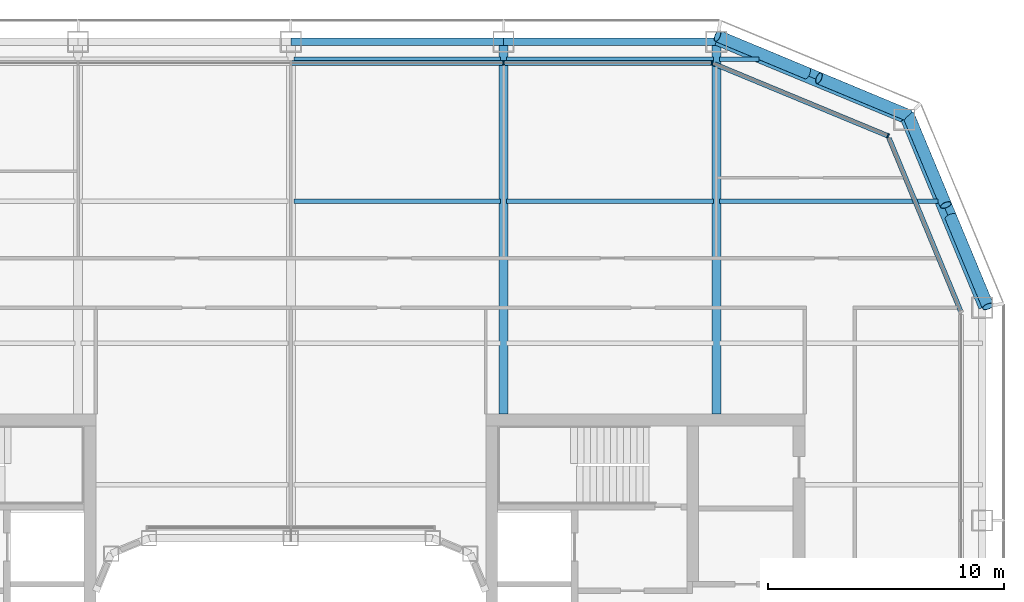
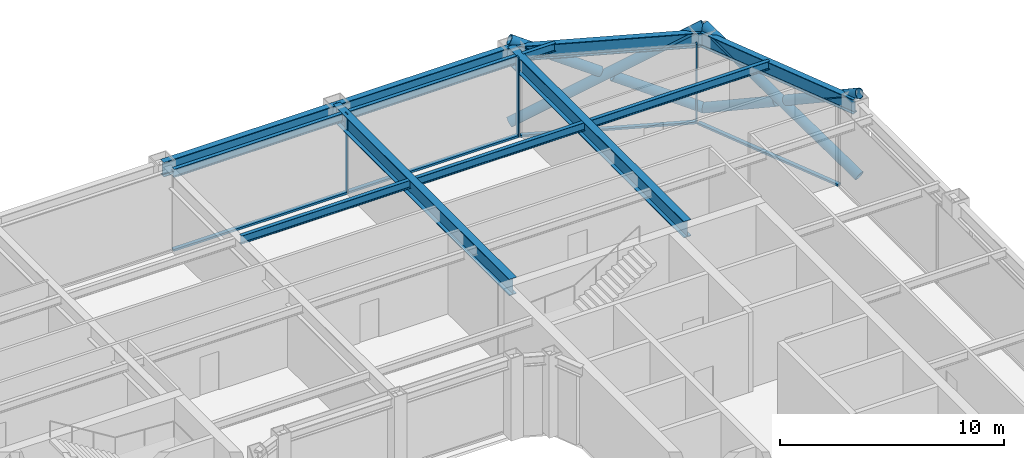
# One storey, part 9 of 21: 13 members, 12 beams, 3 elements without a shape of their own.
"""IFC4 building model written with IfcOpenShell, lengths in metres."""

from ifc_helpers import new_model, si_unit, direction, frame, origin, origin_2d, place, context, subcontext, project, spatial, rectangle, hollow_circle, i_section, extrude, material, layer, layer_set, material_profile, profile_set, type_object, element, aggregate, save


model = new_model("IFC4")

# Units and contexts
model_context = context("Model", 3, precision=1e-05, world=origin(), true_north=direction((0.0, 1.0)))
body_context = subcontext(model_context, "Body", "Model", "MODEL_VIEW")
ifc_project = project(units=[si_unit("LENGTHUNIT", "METRE"), si_unit("AREAUNIT", "SQUARE_METRE"), si_unit("VOLUMEUNIT", "CUBIC_METRE"), si_unit("PLANEANGLEUNIT", "RADIAN"), si_unit("MASSUNIT", "GRAM", prefix="KILO")], contexts=[model_context])

# Site, building, storey
site_placement = place(None, origin())
site = spatial("IfcSite", under=ifc_project, at=site_placement, CompositionType="ELEMENT")
building_placement = place(site_placement, origin())
building = spatial("IfcBuilding", under=site, at=building_placement, Name="Siwar Civic Tower", CompositionType="ELEMENT")
storey_placement = place(building_placement, frame((0.0, 0.0, 158.699951171875)))
storey = spatial("IfcBuildingStorey", under=building, at=storey_placement, Name="L34", CompositionType="ELEMENT", Elevation=158.699951171875)

# Curtain wall, member
ifc_material_1 = material(Name="Aluminium clad insulated panel", Category="aluminium")
ifc_layer_1 = layer(ifc_material_1, 0.199951171875)
ifc_layer_set_1 = layer_set([ifc_layer_1], Name="Aluminium clad insulated panel")
curtain_wall_type_1 = type_object("IfcCurtainWallType", Name="ENV-CW-BX", PredefinedType="NOTDEFINED", material=ifc_layer_set_1)
curtain_wall_1_placement = place(storey_placement, origin())
curtain_wall_1 = element("IfcCurtainWall", 1, at=curtain_wall_1_placement, inside=storey, type_object=curtain_wall_type_1, Name="Curtain wall B NE2", PredefinedType="NOTDEFINED")
ifc_material_2 = material(Name="Aluminium 6063-T6", Category="aluminium")
ifc_material_profile_1 = material_profile(ifc_material_2, rectangle(XDim=0.199951171875, YDim=0.06494140625, at=origin_2d()), Name="AL 200x65")
ifc_profile_set_1 = profile_set([ifc_material_profile_1], Name="Aluminium 6063-T6")
member_type_1 = type_object("IfcMemberType", Name="ENV-MULLION-B", PredefinedType="MULLION", material=ifc_profile_set_1)
member_1_placement = place(storey_placement, frame((25.26611328125, 25.26611328125, 0.0), z_axis=(0.0, 0.0, 1.0), x_axis=(-0.382683432365, -0.923879532511, 0.0)))
member_1 = element("IfcMember", 2, at=member_1_placement, type_object=member_type_1, Name="Mullion B NE2 1", PredefinedType="MULLION", context=body_context, shape_type="SweptSolid", body=[
    extrude(rectangle(XDim=0.199951171875, YDim=0.06494140625, at=origin_2d()), origin(), (0.0, 0.0, 1.0), 4.35009765625),
])

# Curtain wall, members
ifc_material_3 = material(Name="Aluminium and glass", Category="aluminium")
ifc_layer_2 = layer(ifc_material_3, 0.199951171875)
ifc_layer_set_2 = layer_set([ifc_layer_2], Name="Aluminium and glass")
curtain_wall_type_2 = type_object("IfcCurtainWallType", Name="ENV-CW-B", PredefinedType="NOTDEFINED", material=ifc_layer_set_2)
curtain_wall_2_placement = place(storey_placement, origin())
curtain_wall_2 = element("IfcCurtainWall", 3, at=curtain_wall_2_placement, inside=storey, type_object=curtain_wall_type_2, Name="Curtain wall B N", PredefinedType="NOTDEFINED")
member_2_placement = place(storey_placement, frame((17.821044921875, 28.35009765625, 0.0), z_axis=(0.0, 0.0, 1.0), x_axis=(0.0, -1.0, 0.0)))
member_2 = element("IfcMember", 4, at=member_2_placement, type_object=member_type_1, Name="Mullion B N 1", PredefinedType="MULLION", context=body_context, shape_type="SweptSolid", body=[
    extrude(rectangle(XDim=0.199951171875, YDim=0.06494140625, at=origin_2d()), origin(), (0.0, 0.0, 1.0), 4.35009765625),
])
member_3_placement = place(storey_placement, frame((9.0, 28.35009765625, 0.0), z_axis=(0.0, 0.0, 1.0), x_axis=(0.0, -1.0, 0.0)))
member_3 = element("IfcMember", 5, at=member_3_placement, type_object=member_type_1, Name="Mullion B N 2", PredefinedType="MULLION", context=body_context, shape_type="SweptSolid", body=[
    extrude(rectangle(XDim=0.199951171875, YDim=0.06494140625, at=origin_2d()), origin(), (0.0, 0.0, 1.0), 4.35009765625),
])

# Curtain wall, member
curtain_wall_3_placement = place(storey_placement, origin())
curtain_wall_3 = element("IfcCurtainWall", 6, at=curtain_wall_3_placement, inside=storey, type_object=curtain_wall_type_1, Name="Curtain wall B NE1", PredefinedType="NOTDEFINED")
ifc_material_4 = material(Name="Aluminium 6063-T6", Category="aluminium")
ifc_material_profile_2 = material_profile(ifc_material_4, rectangle(XDim=0.199951171875, YDim=0.110107421875, at=origin_2d()), Name="AL 200x110")
ifc_profile_set_2 = profile_set([ifc_material_profile_2], Name="Aluminium 6063-T6")
member_type_2 = type_object("IfcMemberType", Name="ENV-TRANSOM-B", PredefinedType="USERDEFINED", material=ifc_profile_set_2)
member_4_placement = place(storey_placement, frame((28.337646484375, 17.85107421875, 0.054931640625), z_axis=(-0.382699695651, 0.92387279587, 0.0), x_axis=(-0.92387279587, -0.382699695651, 0.0)))
member_4 = element("IfcMember", 7, at=member_4_placement, type_object=member_type_2, Name="Transom B NE1 1", ObjectType="TRANSOM", PredefinedType="USERDEFINED", context=body_context, shape_type="SweptSolid", body=[
    extrude(rectangle(XDim=0.199951171875, YDim=0.110107421875, at=origin_2d()), origin(), (0.0, 0.0, 1.0), 7.912353515625),
])
aggregate(curtain_wall_3, [member_4])

# Member
member_5_placement = place(storey_placement, frame((25.236083984375, 25.278564453125, 0.054931640625), z_axis=(-0.923883705044, 0.382673358825, 0.0), x_axis=(-0.382673358825, -0.923883705044, 0.0)))
member_5 = element("IfcMember", 8, at=member_5_placement, type_object=member_type_2, Name="Transom B NE2 1", ObjectType="TRANSOM", PredefinedType="USERDEFINED", context=body_context, shape_type="SweptSolid", body=[
    extrude(rectangle(XDim=0.199951171875, YDim=0.110107421875, at=origin_2d()), origin(), (0.0, 0.0, 1.0), 7.912353515625),
])

aggregate(curtain_wall_1, [member_1, member_5])

member_6_placement = place(storey_placement, frame((17.78857421875, 28.35009765625, 0.054931640625), z_axis=(-1.0, 0.0, 0.0), x_axis=(0.0, -1.0, 0.0)))
member_6 = element("IfcMember", 9, at=member_6_placement, type_object=member_type_2, Name="Transom B N 1", ObjectType="TRANSOM", PredefinedType="USERDEFINED", context=body_context, shape_type="SweptSolid", body=[
    extrude(rectangle(XDim=0.199951171875, YDim=0.110107421875, at=origin_2d()), origin(), (0.0, 0.0, 1.0), 8.756103515625),
])

member_7_placement = place(storey_placement, frame((8.967529296875, 28.35009765625, 0.054931640625), z_axis=(-1.0, 0.0, 0.0), x_axis=(0.0, -1.0, 0.0)))
member_7 = element("IfcMember", 10, at=member_7_placement, type_object=member_type_2, Name="Transom B N 2", ObjectType="TRANSOM", PredefinedType="USERDEFINED", context=body_context, shape_type="SweptSolid", body=[
    extrude(rectangle(XDim=0.199951171875, YDim=0.110107421875, at=origin_2d()), origin(), (0.0, 0.0, 1.0), 8.93505859375),
])

aggregate(curtain_wall_2, [member_2, member_3, member_6, member_7])

# Members
ifc_material_5 = material(Name="Steel S355", Category="steel")
ifc_material_profile_3 = material_profile(ifc_material_5, hollow_circle(Radius=0.25390625, WallThickness=0.02490234375, at=origin_2d()), Name="CHS508x25")
ifc_profile_set_3 = profile_set([ifc_material_profile_3], Name="Steel S355")
member_type_3 = type_object("IfcMemberType", Name="STR-BR-CHS508x25", PredefinedType="BRACE", material=ifc_profile_set_3)
member_8_placement = place(storey_placement, frame((18.048828125, 29.4951171875, 0.0), z_axis=(0.821142553604, -0.341671493852, 0.457149315816), x_axis=(0.384163874976, 0.923264922524, 0.0)))
element("IfcMember", 11, at=member_8_placement, inside=storey, type_object=member_type_3, Name="L34/brc/BNE1-13-0-1", PredefinedType="BRACE", context=body_context, shape_type="SweptSolid", body=[
    extrude(hollow_circle(Radius=0.25390625, WallThickness=0.02490234375, at=origin_2d()), origin(), (0.0, 0.0, 1.0), 9.843505859375),
])
member_9_placement = place(storey_placement, frame((26.1318359375, 26.1318359375, 0.0), z_axis=(-0.821143275065, 0.341662474736, 0.457154760636), x_axis=(-0.384154943021, -0.923268638995, 0.0)))
element("IfcMember", 12, at=member_9_placement, inside=storey, type_object=member_type_3, Name="L34/brc/BNE1-13-0-2", PredefinedType="BRACE", context=body_context, shape_type="SweptSolid", body=[
    extrude(hollow_circle(Radius=0.25390625, WallThickness=0.02490234375, at=origin_2d()), origin(), (0.0, 0.0, 1.0), 4.61474609375),
])
member_10_placement = place(storey_placement, frame((21.837890625, 27.91845703125, 2.390625), z_axis=(-0.821145902409, 0.34168558233, 0.457132770413), x_axis=(-0.384176042158, -0.923259859753, 0.0)))
element("IfcMember", 13, at=member_10_placement, inside=storey, type_object=member_type_3, Name="L34/brc/BNE1-13-0-3", PredefinedType="BRACE", context=body_context, shape_type="SweptSolid", body=[
    extrude(hollow_circle(Radius=0.25390625, WallThickness=0.02490234375, at=origin_2d()), origin(), (0.0, 0.0, 1.0), 4.6142578125),
])
member_11_placement = place(storey_placement, frame((29.4951171875, 18.048828125, 0.0), z_axis=(-0.341671493852, 0.821142553604, 0.457149315816), x_axis=(-0.923264922524, -0.384163874976, 0.0)))
element("IfcMember", 14, at=member_11_placement, inside=storey, type_object=member_type_3, Name="L34/brc/BNE1-13-0-0", PredefinedType="BRACE", context=body_context, shape_type="SweptSolid", body=[
    extrude(hollow_circle(Radius=0.25390625, WallThickness=0.02490234375, at=origin_2d()), origin(), (0.0, 0.0, 1.0), 9.843505859375),
])
member_12_placement = place(storey_placement, frame((26.1318359375, 26.1318359375, 0.0), z_axis=(0.341662474736, -0.821143275065, 0.457154760636), x_axis=(0.923268638995, 0.384154943021, 0.0)))
element("IfcMember", 15, at=member_12_placement, inside=storey, type_object=member_type_3, Name="L34/brc/BNE1-13-0-4", PredefinedType="BRACE", context=body_context, shape_type="SweptSolid", body=[
    extrude(hollow_circle(Radius=0.25390625, WallThickness=0.02490234375, at=origin_2d()), origin(), (0.0, 0.0, 1.0), 4.61474609375),
])
member_13_placement = place(storey_placement, frame((27.91845703125, 21.837890625, 2.390625), z_axis=(0.34168558233, -0.821145902409, 0.457132770413), x_axis=(0.923259859753, 0.384176042158, 0.0)))
element("IfcMember", 16, at=member_13_placement, inside=storey, type_object=member_type_3, Name="L34/brc/BNE1-13-0-5", PredefinedType="BRACE", context=body_context, shape_type="SweptSolid", body=[
    extrude(hollow_circle(Radius=0.25390625, WallThickness=0.02490234375, at=origin_2d()), origin(), (0.0, 0.0, 1.0), 4.6142578125),
])

# Beams
ifc_material_6 = material(Name="Steel S355", Category="steel")
ifc_material_profile_4 = material_profile(ifc_material_6, i_section(OverallWidth=0.18994140625, OverallDepth=0.449951171875, WebThickness=0.009521484375, FlangeThickness=0.0146484375, FilletRadius=0.02099609375, at=origin_2d()), Name="IPE450")
ifc_profile_set_4 = profile_set([ifc_material_profile_4], Name="Steel S355")
beam_type_1 = type_object("IfcBeamType", Name="STR-FB-IPE450", PredefinedType="JOIST", material=ifc_profile_set_4)
for number, where, z_axis, x_axis, name in (
    (17, (0.1298828125, 22.5, 4.125), (1.0, 0.0, 0.0), (0.0, 1.0, 0.0), "L34/bm/F040"),
    (18, (9.1298828125, 22.5, 4.125), (1.0, 0.0, 0.0), (0.0, 1.0, 0.0), "L34/bm/F041"),
):
    element("IfcBeam", number, at=place(storey_placement, frame(where, z_axis=z_axis, x_axis=x_axis)), inside=storey, type_object=beam_type_1, Name=name, PredefinedType="JOIST", context=body_context, shape_type="SweptSolid", body=[
        extrude(i_section(OverallWidth=0.18994140625, OverallDepth=0.449951171875, WebThickness=0.009521484375, FlangeThickness=0.0146484375, FilletRadius=0.02099609375, at=origin_2d()), origin(), (0.0, 0.0, 1.0), 8.740234375),
    ])
beam_1_placement = place(storey_placement, frame((18.1298828125, 22.5, 4.125), z_axis=(1.0, 0.0, 0.0), x_axis=(0.0, 1.0, 0.0)))
element("IfcBeam", 19, at=beam_1_placement, inside=storey, type_object=beam_type_1, Name="L34/bm/F042", PredefinedType="JOIST", context=body_context, shape_type="SweptSolid", body=[
    extrude(i_section(OverallWidth=0.18994140625, OverallDepth=0.449951171875, WebThickness=0.009521484375, FlangeThickness=0.0146484375, FilletRadius=0.02099609375, at=origin_2d()), origin(), (0.0, 0.0, 1.0), 9.256103515625),
])
for number, where, z_axis, x_axis, name in (
    (20, (0.1298828125, 28.5, 4.125), (1.0, 0.0, 0.0), (0.0, 1.0, 0.0), "L34/bm/F046"),
    (21, (9.1298828125, 28.5, 4.125), (1.0, 0.0, 0.0), (0.0, 1.0, 0.0), "L34/bm/F047"),
):
    element("IfcBeam", number, at=place(storey_placement, frame(where, z_axis=z_axis, x_axis=x_axis)), inside=storey, type_object=beam_type_1, Name=name, PredefinedType="JOIST", context=body_context, shape_type="SweptSolid", body=[
        extrude(i_section(OverallWidth=0.18994140625, OverallDepth=0.449951171875, WebThickness=0.009521484375, FlangeThickness=0.0146484375, FilletRadius=0.02099609375, at=origin_2d()), origin(), (0.0, 0.0, 1.0), 8.740234375),
    ])
beam_2_placement = place(storey_placement, frame((18.1298828125, 28.5, 4.125), z_axis=(1.0, 0.0, 0.0), x_axis=(0.0, 1.0, 0.0)))
element("IfcBeam", 22, at=beam_2_placement, inside=storey, type_object=beam_type_1, Name="L34/bm/F048", PredefinedType="JOIST", context=body_context, shape_type="SweptSolid", body=[
    extrude(i_section(OverallWidth=0.18994140625, OverallDepth=0.449951171875, WebThickness=0.009521484375, FlangeThickness=0.0146484375, FilletRadius=0.02099609375, at=origin_2d()), origin(), (0.0, 0.0, 1.0), 1.6806640625),
])
ifc_material_7 = material(Name="Steel S355", Category="steel")
ifc_material_profile_5 = material_profile(ifc_material_7, i_section(OverallWidth=0.3798828125, OverallDepth=0.89990234375, WebThickness=0.01611328125, FlangeThickness=0.035888671875, at=origin_2d()), Name="PG900x380x16x36")
ifc_profile_set_5 = profile_set([ifc_material_profile_5], Name="Steel S355")
beam_type_2 = type_object("IfcBeamType", Name="STR-PG-PG900x380x16x36", PredefinedType="BEAM", material=ifc_profile_set_5)
for number, where, z_axis, x_axis, name in (
    (23, (9.0, 13.5, 3.900146484375), (0.0, 1.0, 0.0), (-1.0, 0.0, 0.0), "L34/bm/G08"),
    (24, (18.0, 13.5, 3.900146484375), (0.0, 1.0, 0.0), (-1.0, 0.0, 0.0), "L34/bm/G10"),
):
    element("IfcBeam", number, at=place(storey_placement, frame(where, z_axis=z_axis, x_axis=x_axis)), inside=storey, type_object=beam_type_2, Name=name, PredefinedType="BEAM", context=body_context, shape_type="SweptSolid", body=[
        extrude(i_section(OverallWidth=0.3798828125, OverallDepth=0.89990234375, WebThickness=0.01611328125, FlangeThickness=0.035888671875, at=origin_2d()), origin(), (0.0, 0.0, 1.0), 15.75),
    ])
ifc_material_8 = material(Name="Steel S355", Category="steel")
ifc_material_profile_6 = material_profile(ifc_material_8, i_section(OverallWidth=0.300048828125, OverallDepth=0.800048828125, WebThickness=0.017578125, FlangeThickness=0.032958984375, FilletRadius=0.030029296875, at=origin_2d()), Name="HEB800")
ifc_profile_set_6 = profile_set([ifc_material_profile_6], Name="Steel S355")
beam_type_3 = type_object("IfcBeamType", Name="STR-SB-HEB800", PredefinedType="BEAM", material=ifc_profile_set_6)
for number, where, z_axis, x_axis, name in (
    (25, (29.25, 18.0, 3.949951171875), (-0.382699877515, 0.923872720536, 0.0), (-0.923872720536, -0.382699877515, 0.0), "L34/bm/SNE1-0"),
    (26, (25.954833984375, 25.954833984375, 3.949951171875), (-0.923872720536, 0.382699877515, 0.0), (-0.382699877515, -0.923872720536, 0.0), "L34/bm/SNE2-0"),
):
    element("IfcBeam", number, at=place(storey_placement, frame(where, z_axis=z_axis, x_axis=x_axis)), inside=storey, type_object=beam_type_3, Name=name, PredefinedType="BEAM", context=body_context, shape_type="SweptSolid", body=[
        extrude(i_section(OverallWidth=0.300048828125, OverallDepth=0.800048828125, WebThickness=0.017578125, FlangeThickness=0.032958984375, FilletRadius=0.030029296875, at=origin_2d()), origin(), (0.0, 0.0, 1.0), 8.6103515625),
    ])
for number, where, z_axis, x_axis, name in (
    (27, (18.0, 29.25, 3.949951171875), (-1.0, 0.0, 0.0), (0.0, -1.0, 0.0), "L34/bm/SN-0"),
    (28, (9.0, 29.25, 3.949951171875), (-1.0, 0.0, 0.0), (0.0, -1.0, 0.0), "L34/bm/SN-1"),
):
    element("IfcBeam", number, at=place(storey_placement, frame(where, z_axis=z_axis, x_axis=x_axis)), inside=storey, type_object=beam_type_3, Name=name, PredefinedType="BEAM", context=body_context, shape_type="SweptSolid", body=[
        extrude(i_section(OverallWidth=0.300048828125, OverallDepth=0.800048828125, WebThickness=0.017578125, FlangeThickness=0.032958984375, FilletRadius=0.030029296875, at=origin_2d()), origin(), (0.0, 0.0, 1.0), 9.0),
    ])

save(model, "model.ifc")
